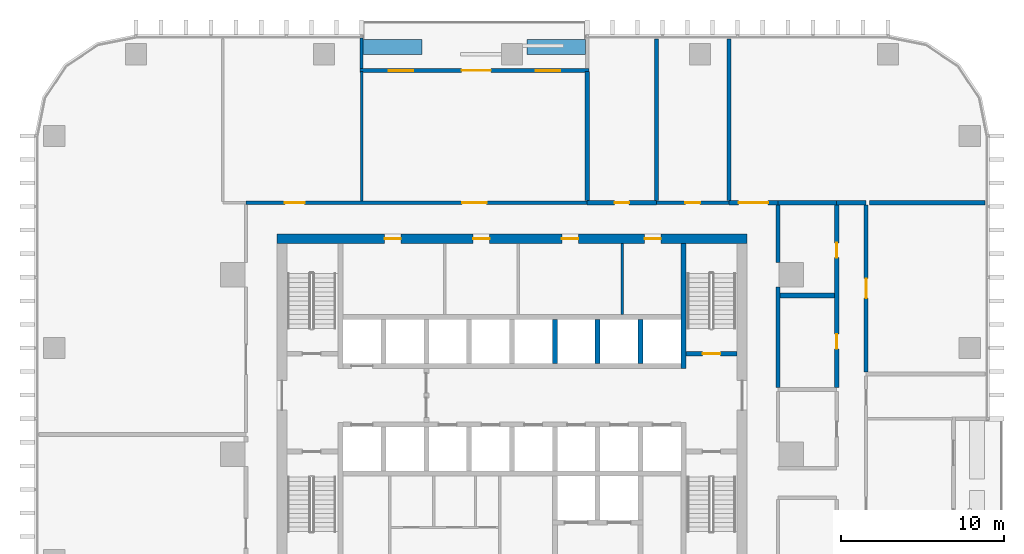
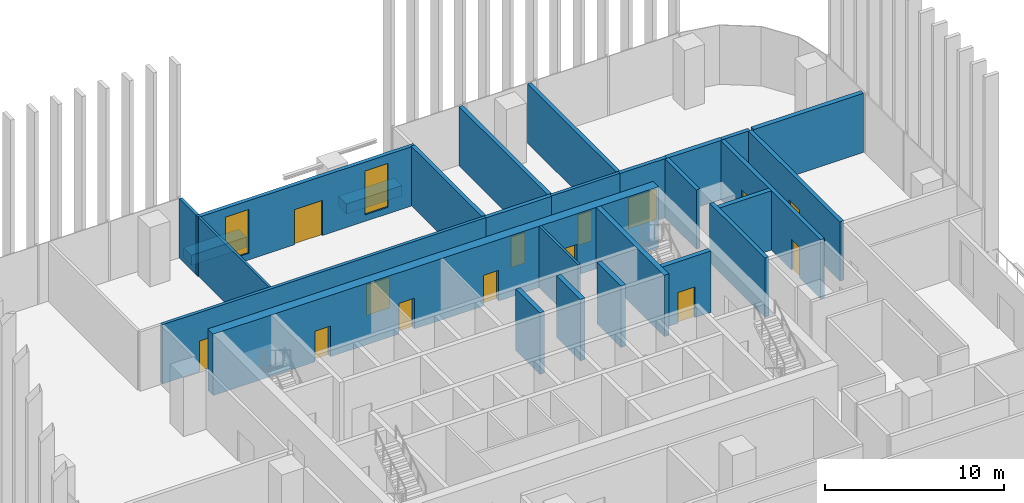
# One storey, part 10 of 17: 27 walls, 14 doors, 2 windows, 16 openings.
"""IFC4 building model written with IfcOpenShell, lengths in metres."""

from ifc_helpers import new_model, si_unit, direction, frame, frame_2d, origin, place, context, subcontext, project, spatial, rectangle, extrude, material, layer, layer_set, type_object, element, fill, save


model = new_model("IFC4")

# Units and contexts
model_context = context("Model", 3, precision=1e-05, world=origin(), true_north=direction((0.0, 1.0)))
body_context = subcontext(model_context, "Body", "Model", "MODEL_VIEW")
ifc_project = project(units=[si_unit("LENGTHUNIT", "METRE"), si_unit("AREAUNIT", "SQUARE_METRE"), si_unit("VOLUMEUNIT", "CUBIC_METRE"), si_unit("PLANEANGLEUNIT", "RADIAN"), si_unit("MASSUNIT", "GRAM", prefix="KILO")], contexts=[model_context])

# Site, building, storey
site_placement = place(None, origin())
site = spatial("IfcSite", under=ifc_project, at=site_placement, CompositionType="ELEMENT")
building_placement = place(site_placement, origin())
building = spatial("IfcBuilding", under=site, at=building_placement, Name="Mopane Tessera Tower", CompositionType="ELEMENT")
storey_placement = place(building_placement, frame((0.0, 0.0, 121.60009765625)))
storey = spatial("IfcBuildingStorey", under=building, at=storey_placement, Name="L24", CompositionType="ELEMENT", Elevation=121.60009765625)

# Wall
ifc_material_1 = material(Name="Fire-rated gypsum board partition")
ifc_layer_1 = layer(ifc_material_1, 0.14990234375)
ifc_layer_set_1 = layer_set([ifc_layer_1], Name="Fire-rated gypsum board partition")
wall_type_1 = type_object("IfcWallType", Name="Core room partition 150 mm", PredefinedType="PARTITIONING", material=ifc_layer_set_1)
wall_1_placement = place(storey_placement, frame((6.75, 8.550048828125, 0.0), z_axis=(0.0, 0.0, 1.0), x_axis=(0.0, 1.0, 0.0)))
element("IfcWall", 1, at=wall_1_placement, inside=storey, type_object=wall_type_1, Name="L24 Room partition", PredefinedType="PARTITIONING", context=body_context, shape_type="SweptSolid", body=[
    extrude(rectangle(XDim=4.349853515625, YDim=0.14990234375, at=frame_2d((2.1748046875, 0.0))), origin(), (0.0, 0.0, 1.0), 4.199951171875),
])

# Wall, openings, doors
ifc_material_2 = material(Name="Concrete C70/85", Category="concrete")
ifc_layer_2 = layer(ifc_material_2, 0.60009765625)
ifc_layer_set_2 = layer_set([ifc_layer_2], Name="Concrete C70/85")
wall_type_2 = type_object("IfcWallType", Name="Core shear wall 600 mm", PredefinedType="SHEAR", material=ifc_layer_set_2)
wall_2_placement = place(storey_placement, frame((-14.39990234375, 13.199951171875, 0.0), z_axis=(0.0, 0.0, 1.0), x_axis=(1.0, 0.0, 0.0)))
wall_2 = element("IfcWall", 2, at=wall_2_placement, inside=storey, type_object=wall_type_2, Name="L24 Core wall north", PredefinedType="SHEAR", context=body_context, shape_type="SweptSolid", body=[
    extrude(rectangle(XDim=28.7998046875, YDim=0.60009765625, at=frame_2d((14.39990234375, 0.0))), origin(), (0.0, 0.0, 1.0), 4.199951171875),
])
opening_1_placement = place(wall_2_placement, frame((6.58740234375, 0.0, 0.0)))
opening_1 = element("IfcOpeningElement", 3, at=opening_1_placement, cuts=wall_2, Name="Opening RD1", PredefinedType="OPENING", context=body_context, shape_type="SweptSolid", body=[
    extrude(rectangle(XDim=1.0, YDim=2.10009765625, at=frame_2d((0.5, 1.050048828125))), frame((0.0, 0.31201171875, 0.0), z_axis=(0.0, -1.0, 0.0), x_axis=(1.0, 0.0, 0.0)), (0.0, 0.0, 1.0), 0.6240234375),
])
opening_2_placement = place(wall_2_placement, frame((12.02490234375, 0.0, 0.0)))
opening_2 = element("IfcOpeningElement", 4, at=opening_2_placement, cuts=wall_2, Name="Opening RD1", PredefinedType="OPENING", context=body_context, shape_type="SweptSolid", body=[
    extrude(rectangle(XDim=1.0, YDim=2.10009765625, at=frame_2d((0.5, 1.050048828125))), frame((0.0, 0.31201171875, 0.0), z_axis=(0.0, -1.0, 0.0), x_axis=(1.0, 0.0, 0.0)), (0.0, 0.0, 1.0), 0.6240234375),
])
opening_3_placement = place(wall_2_placement, frame((17.46240234375, 0.0, 0.0)))
opening_3 = element("IfcOpeningElement", 5, at=opening_3_placement, cuts=wall_2, Name="Opening RD1", PredefinedType="OPENING", context=body_context, shape_type="SweptSolid", body=[
    extrude(rectangle(XDim=1.0, YDim=2.10009765625, at=frame_2d((0.5, 1.050048828125))), frame((0.0, 0.31201171875, 0.0), z_axis=(0.0, -1.0, 0.0), x_axis=(1.0, 0.0, 0.0)), (0.0, 0.0, 1.0), 0.6240234375),
])
opening_4_placement = place(wall_2_placement, frame((22.52490234375, 0.0, 0.0)))
opening_4 = element("IfcOpeningElement", 6, at=opening_4_placement, cuts=wall_2, Name="Opening RD1", PredefinedType="OPENING", context=body_context, shape_type="SweptSolid", body=[
    extrude(rectangle(XDim=1.0, YDim=2.10009765625, at=frame_2d((0.5, 1.050048828125))), frame((0.0, 0.31201171875, 0.0), z_axis=(0.0, -1.0, 0.0), x_axis=(1.0, 0.0, 0.0)), (0.0, 0.0, 1.0), 0.6240234375),
])
ifc_material_3 = material(Name="Timber door", Category="wood")
door_type_1 = type_object("IfcDoorType", Name="Core room door 1000 x 2100", OperationType="SINGLE_SWING_LEFT", PredefinedType="DOOR", material=ifc_material_3)
door_1_placement = place(opening_1_placement, origin())
door_1 = element("IfcDoor", 7, at=door_1_placement, inside=storey, type_object=door_type_1, Name="L24 Room door", OperationType="SINGLE_SWING_LEFT", OverallHeight=2.10009765625, OverallWidth=1.0, PredefinedType="DOOR", context=body_context, shape_type="SweptSolid", body=[
    extrude(rectangle(XDim=1.0, YDim=2.10009765625, at=frame_2d((0.5, 1.050048828125))), frame((0.0, 0.02490234375, 0.0), z_axis=(0.0, -1.0, 0.0), x_axis=(1.0, 0.0, 0.0)), (0.0, 0.0, 1.0), 0.050048828125),
])
fill(opening_1, door_1)
door_2_placement = place(opening_2_placement, origin())
door_2 = element("IfcDoor", 8, at=door_2_placement, inside=storey, type_object=door_type_1, Name="L24 Room door", OperationType="SINGLE_SWING_LEFT", OverallHeight=2.10009765625, OverallWidth=1.0, PredefinedType="DOOR", context=body_context, shape_type="SweptSolid", body=[
    extrude(rectangle(XDim=1.0, YDim=2.10009765625, at=frame_2d((0.5, 1.050048828125))), frame((0.0, 0.02490234375, 0.0), z_axis=(0.0, -1.0, 0.0), x_axis=(1.0, 0.0, 0.0)), (0.0, 0.0, 1.0), 0.050048828125),
])
fill(opening_2, door_2)
door_3_placement = place(opening_3_placement, origin())
door_3 = element("IfcDoor", 9, at=door_3_placement, inside=storey, type_object=door_type_1, Name="L24 Room door", OperationType="SINGLE_SWING_LEFT", OverallHeight=2.10009765625, OverallWidth=1.0, PredefinedType="DOOR", context=body_context, shape_type="SweptSolid", body=[
    extrude(rectangle(XDim=1.0, YDim=2.10009765625, at=frame_2d((0.5, 1.050048828125))), frame((0.0, 0.02490234375, 0.0), z_axis=(0.0, -1.0, 0.0), x_axis=(1.0, 0.0, 0.0)), (0.0, 0.0, 1.0), 0.050048828125),
])
fill(opening_3, door_3)
door_4_placement = place(opening_4_placement, origin())
door_4 = element("IfcDoor", 10, at=door_4_placement, inside=storey, type_object=door_type_1, Name="L24 Room door", OperationType="SINGLE_SWING_LEFT", OverallHeight=2.10009765625, OverallWidth=1.0, PredefinedType="DOOR", context=body_context, shape_type="SweptSolid", body=[
    extrude(rectangle(XDim=1.0, YDim=2.10009765625, at=frame_2d((0.5, 1.050048828125))), frame((0.0, 0.02490234375, 0.0), z_axis=(0.0, -1.0, 0.0), x_axis=(1.0, 0.0, 0.0)), (0.0, 0.0, 1.0), 0.050048828125),
])
fill(opening_4, door_4)

# Wall
ifc_material_4 = material(Name="Concrete C60/75", Category="concrete")
ifc_layer_3 = layer(ifc_material_4, 0.300048828125)
ifc_layer_set_3 = layer_set([ifc_layer_3], Name="Concrete C60/75")
wall_type_3 = type_object("IfcWallType", Name="Core spine wall 300 mm", PredefinedType="SHEAR", material=ifc_layer_set_3)
wall_3_placement = place(storey_placement, frame((10.5, 5.25, 0.0), z_axis=(0.0, 0.0, 1.0), x_axis=(0.0, 1.0, 0.0)))
element("IfcWall", 11, at=wall_3_placement, inside=storey, type_object=wall_type_3, Name="L24 Core spine wall", PredefinedType="SHEAR", context=body_context, shape_type="SweptSolid", body=[
    extrude(rectangle(XDim=7.64990234375, YDim=0.300048828125, at=frame_2d((3.824951171875, 0.0))), origin(), (0.0, 0.0, 1.0), 4.199951171875),
])

# Wall, openings, doors
ifc_material_5 = material(Name="Gypsum board on steel studs, two layers each face, mineral wool infill", Category="steel")
ifc_layer_4 = layer(ifc_material_5, 0.199951171875)
ifc_layer_set_4 = layer_set([ifc_layer_4], Name="Gypsum board on steel studs, two layers each face, mineral wool infill")
wall_type_4 = type_object("IfcWallType", Name="Gypsum board corridor wall 200, rated EI 60", PredefinedType="PARTITIONING", material=ifc_layer_set_4)
wall_4_placement = place(storey_placement, frame((-16.300048828125, 15.39990234375, 0.0), z_axis=(0.0, 0.0, 1.0), x_axis=(1.0, 0.0, 0.0)))
wall_4 = element("IfcWall", 12, at=wall_4_placement, inside=storey, type_object=wall_type_4, Name="Partition L24:025", PredefinedType="PARTITIONING", context=body_context, shape_type="SweptSolid", body=[
    extrude(rectangle(XDim=20.91015625, YDim=0.199951171875, at=frame_2d((10.455078125, 0.0))), origin(), (0.0, 0.0, 1.0), 4.0498046875),
])
opening_5_placement = place(wall_4_placement, frame((13.2451171875, 0.0, 0.0)))
opening_5 = element("IfcOpeningElement", 13, at=opening_5_placement, cuts=wall_4, Name="Opening L24-03", PredefinedType="OPENING", context=body_context, shape_type="SweptSolid", body=[
    extrude(rectangle(XDim=1.5, YDim=2.10009765625, at=frame_2d((0.75, 1.050048828125))), frame((0.0, 0.112060546875, 0.0), z_axis=(0.0, -1.0, 0.0), x_axis=(1.0, 0.0, 0.0)), (0.0, 0.0, 1.0), 0.223876953125),
])
opening_6_placement = place(wall_4_placement, frame((2.387451171875, 0.0, 0.0)))
opening_6 = element("IfcOpeningElement", 14, at=opening_6_placement, cuts=wall_4, Name="Opening L24-15", PredefinedType="OPENING", context=body_context, shape_type="SweptSolid", body=[
    extrude(rectangle(XDim=1.199951171875, YDim=2.10009765625, at=frame_2d((0.60009765625, 1.050048828125))), frame((0.0, 0.112060546875, 0.0), z_axis=(0.0, -1.0, 0.0), x_axis=(1.0, 0.0, 0.0)), (0.0, 0.0, 1.0), 0.223876953125),
])
ifc_material_6 = material(Name="Timber veneered steel-framed fire door", Category="steel")
door_type_2 = type_object("IfcDoorType", Name="Fire door FD60 1200 x 2100", OperationType="SINGLE_SWING_LEFT", PredefinedType="DOOR", material=ifc_material_6)
door_5_placement = place(opening_6_placement, origin())
door_5 = element("IfcDoor", 15, at=door_5_placement, inside=storey, type_object=door_type_2, Name="Door L24-15", ObjectType="D15A", OperationType="SINGLE_SWING_RIGHT", OverallHeight=2.10009765625, OverallWidth=1.199951171875, PredefinedType="DOOR", context=body_context, shape_type="SweptSolid", body=[
    extrude(rectangle(XDim=1.199951171875, YDim=2.10009765625, at=frame_2d((0.60009765625, 1.050048828125))), frame((0.0, 0.02490234375, 0.0), z_axis=(0.0, -1.0, 0.0), x_axis=(1.0, 0.0, 0.0)), (0.0, 0.0, 1.0), 0.050048828125),
])
fill(opening_6, door_5)
ifc_material_7 = material(Name="Timber veneered steel-framed fire door", Category="steel")
door_type_3 = type_object("IfcDoorType", Name="Fire door pair FD60 1500 x 2100", OperationType="DOUBLE_DOOR_SINGLE_SWING", PredefinedType="DOOR", material=ifc_material_7)
door_6_placement = place(opening_5_placement, origin())
door_6 = element("IfcDoor", 16, at=door_6_placement, inside=storey, type_object=door_type_3, Name="Door L24-03", ObjectType="D17A", OperationType="DOUBLE_DOOR_SINGLE_SWING", OverallHeight=2.10009765625, OverallWidth=1.5, PredefinedType="DOOR", context=body_context, shape_type="SweptSolid", body=[
    extrude(rectangle(XDim=1.5, YDim=2.10009765625, at=frame_2d((0.75, 1.050048828125))), frame((0.0, 0.02490234375, 0.0), z_axis=(0.0, -1.0, 0.0), x_axis=(1.0, 0.0, 0.0)), (0.0, 0.0, 1.0), 0.050048828125),
])
fill(opening_5, door_6)

# Wall, opening, door
wall_5_placement = place(storey_placement, frame((8.860107421875, 15.39990234375, 0.0), z_axis=(0.0, 0.0, 1.0), x_axis=(1.0, 0.0, 0.0)))
wall_5 = element("IfcWall", 17, at=wall_5_placement, inside=storey, type_object=wall_type_4, Name="Partition L24:026", PredefinedType="PARTITIONING", context=body_context, shape_type="SweptSolid", body=[
    extrude(rectangle(XDim=4.429931640625, YDim=0.199951171875, at=frame_2d((2.21484375, 0.0))), origin(), (0.0, 0.0, 1.0), 4.0498046875),
])
opening_7_placement = place(wall_5_placement, frame((1.764892578125, 0.0, 0.0)))
opening_7 = element("IfcOpeningElement", 18, at=opening_7_placement, cuts=wall_5, Name="Opening L24-21", PredefinedType="OPENING", context=body_context, shape_type="SweptSolid", body=[
    extrude(rectangle(XDim=0.89990234375, YDim=2.10009765625, at=frame_2d((0.449951171875, 1.050048828125))), frame((0.0, 0.112060546875, 0.0), z_axis=(0.0, -1.0, 0.0), x_axis=(1.0, 0.0, 0.0)), (0.0, 0.0, 1.0), 0.223876953125),
])
ifc_material_8 = material(Name="Timber veneered steel-framed fire door", Category="steel")
door_type_4 = type_object("IfcDoorType", Name="Fire door FD60 900 x 2100", OperationType="SINGLE_SWING_LEFT", PredefinedType="DOOR", material=ifc_material_8)
door_7_placement = place(opening_7_placement, origin())
door_7 = element("IfcDoor", 19, at=door_7_placement, inside=storey, type_object=door_type_4, Name="Door L24-21", ObjectType="D10A", OperationType="SINGLE_SWING_RIGHT", OverallHeight=2.10009765625, OverallWidth=0.89990234375, PredefinedType="DOOR", context=body_context, shape_type="SweptSolid", body=[
    extrude(rectangle(XDim=0.89990234375, YDim=2.10009765625, at=frame_2d((0.449951171875, 1.050048828125))), frame((0.0, 0.02490234375, 0.0), z_axis=(0.0, -1.0, 0.0), x_axis=(1.0, 0.0, 0.0)), (0.0, 0.0, 1.0), 0.050048828125),
])
fill(opening_7, door_7)

# Wall
ifc_material_9 = material(Name="Gypsum board on steel studs, mineral wool infill", Category="steel")
ifc_layer_5 = layer(ifc_material_9, 0.14990234375)
ifc_layer_set_5 = layer_set([ifc_layer_5], Name="Gypsum board on steel studs, mineral wool infill")
wall_type_5 = type_object("IfcWallType", Name="Gypsum board partition 150, rated EI 60", PredefinedType="PARTITIONING", material=ifc_layer_set_5)
wall_6_placement = place(storey_placement, frame((-9.219970703125, 15.5, 0.0), z_axis=(0.0, 0.0, 1.0), x_axis=(0.0, 1.0, 0.0)))
element("IfcWall", 20, at=wall_6_placement, inside=storey, type_object=wall_type_5, Name="Partition L24:039", PredefinedType="PARTITIONING", context=body_context, shape_type="SweptSolid", body=[
    extrude(rectangle(XDim=7.949951171875, YDim=0.14990234375, at=frame_2d((3.97509765625, 0.0))), origin(), (0.0, 0.0, 1.0), 4.0498046875),
])

# Wall, opening, door
ifc_material_10 = material(Name="Concrete C50/60", Category="concrete")
ifc_layer_6 = layer(ifc_material_10, 0.300048828125)
ifc_layer_set_6 = layer_set([ifc_layer_6], Name="Concrete C50/60")
wall_type_6 = type_object("IfcWallType", Name="Lift and stair shaft wall 300 mm", PredefinedType="SOLIDWALL", material=ifc_layer_set_6)
wall_7_placement = place(storey_placement, frame((10.64990234375, 6.14990234375, 0.0), z_axis=(0.0, 0.0, 1.0), x_axis=(1.0, 0.0, 0.0)))
wall_7 = element("IfcWall", 21, at=wall_7_placement, inside=storey, type_object=wall_type_6, Name="L24 Stair enclosure wall", PredefinedType="SOLIDWALL", context=body_context, shape_type="SweptSolid", body=[
    extrude(rectangle(XDim=3.150146484375, YDim=0.300048828125, at=frame_2d((1.5751953125, 0.0))), origin(), (0.0, 0.0, 1.0), 4.199951171875),
])
opening_8_placement = place(wall_7_placement, frame((1.02490234375, 0.0, 0.0)))
opening_8 = element("IfcOpeningElement", 22, at=opening_8_placement, cuts=wall_7, Name="Opening SD1", PredefinedType="OPENING", context=body_context, shape_type="SweptSolid", body=[
    extrude(rectangle(XDim=1.10009765625, YDim=2.10009765625, at=frame_2d((0.550048828125, 1.050048828125))), frame((0.0, 0.162109375, 0.0), z_axis=(0.0, -1.0, 0.0), x_axis=(1.0, 0.0, 0.0)), (0.0, 0.0, 1.0), 0.323974609375),
])
ifc_material_11 = material(Name="Steel fire door", Category="steel")
door_type_5 = type_object("IfcDoorType", Name="Stair fire door 1100 x 2100", OperationType="SINGLE_SWING_LEFT", PredefinedType="DOOR", material=ifc_material_11)
door_8_placement = place(opening_8_placement, origin())
door_8 = element("IfcDoor", 23, at=door_8_placement, inside=storey, type_object=door_type_5, Name="L24 Stair door ST4", OperationType="SINGLE_SWING_RIGHT", OverallHeight=2.10009765625, OverallWidth=1.10009765625, PredefinedType="DOOR", context=body_context, shape_type="SweptSolid", body=[
    extrude(rectangle(XDim=1.10009765625, YDim=2.10009765625, at=frame_2d((0.550048828125, 1.050048828125))), frame((0.0, 0.02490234375, 0.0), z_axis=(0.0, -1.0, 0.0), x_axis=(1.0, 0.0, 0.0)), (0.0, 0.0, 1.0), 0.050048828125),
])
fill(opening_8, door_8)

# Walls
for number, where, z_axis, x_axis, name in (
    (24, (2.625, 5.550048828125, 0.0), (0.0, 0.0, 1.0), (0.0, 1.0, 0.0), "L24 Lift shaft wall"),
    (25, (5.25, 5.550048828125, 0.0), (0.0, 0.0, 1.0), (0.0, 1.0, 0.0), "L24 Lift shaft wall"),
    (26, (7.875, 5.550048828125, 0.0), (0.0, 0.0, 1.0), (0.0, 1.0, 0.0), "L24 Lift shaft wall"),
):
    element("IfcWall", number, at=place(storey_placement, frame(where, z_axis=z_axis, x_axis=x_axis)), inside=storey, type_object=wall_type_6, Name=name, PredefinedType="SOLIDWALL", context=body_context, shape_type="SweptSolid", body=[
        extrude(rectangle(XDim=2.699951171875, YDim=0.300048828125, at=frame_2d((1.35009765625, 0.0))), origin(), (0.0, 0.0, 1.0), 4.199951171875),
    ])
ifc_material_12 = material(Name="Reinforced concrete C32/40 with waterproofing", Category="concrete")
ifc_layer_7 = layer(ifc_material_12, 0.89990234375)
ifc_layer_set_7 = layer_set([ifc_layer_7], Name="Reinforced concrete C32/40 with waterproofing")
wall_type_7 = type_object("IfcWallType", Name="Planter trough 3600 x 900", PredefinedType="STANDARD", material=ifc_layer_set_7)
for number, where, z_axis, x_axis, name in (
    (27, (4.510009765625, 24.949951171875, 0.0), (0.0, 0.0, 1.0), (-1.0, 0.0, 0.0), "e:nw:L24:N1:pl0"),
    (28, (-5.52001953125, 24.949951171875, 0.0), (0.0, 0.0, 1.0), (-1.0, 0.0, 0.0), "e:nw:L24:N1:pl1"),
):
    element("IfcWall", number, at=place(storey_placement, frame(where, z_axis=z_axis, x_axis=x_axis)), inside=storey, type_object=wall_type_7, Name=name, PredefinedType="STANDARD", context=body_context, shape_type="SweptSolid", body=[
        extrude(rectangle(XDim=3.60009765625, YDim=0.89990234375, at=frame_2d((1.800048828125, 0.0))), origin(), (0.0, 0.0, 1.0), 0.699951171875),
    ])
ifc_material_13 = material(Name="Plastered concrete blockwork C20/25", Category="masonry")
ifc_layer_8 = layer(ifc_material_13, 0.300048828125)
ifc_layer_set_8 = layer_set([ifc_layer_8], Name="Plastered concrete blockwork C20/25")
wall_type_8 = type_object("IfcWallType", Name="Plastered blockwork separation wall 300, rated EI 120", PredefinedType="PARTITIONING", material=ifc_layer_set_8)
wall_8_placement = place(storey_placement, frame((16.425048828125, 9.72509765625, 0.0), z_axis=(0.0, 0.0, 1.0), x_axis=(1.0, 0.0, 0.0)))
element("IfcWall", 29, at=wall_8_placement, inside=storey, type_object=wall_type_8, Name="Partition L24:023", PredefinedType="PARTITIONING", context=body_context, shape_type="SweptSolid", body=[
    extrude(rectangle(XDim=3.349853515625, YDim=0.300048828125, at=frame_2d((1.6748046875, 0.0))), origin(), (0.0, 0.0, 1.0), 4.0498046875),
])
wall_9_placement = place(storey_placement, frame((16.300048828125, 15.39990234375, 0.0), z_axis=(0.0, 0.0, 1.0), x_axis=(1.0, 0.0, 0.0)))
element("IfcWall", 30, at=wall_9_placement, inside=storey, type_object=wall_type_8, Name="Partition L24:030", PredefinedType="PARTITIONING", context=body_context, shape_type="SweptSolid", body=[
    extrude(rectangle(XDim=3.599853515625, YDim=0.300048828125, at=frame_2d((1.7998046875, 0.0))), origin(), (0.0, 0.0, 1.0), 4.0498046875),
])
wall_10_placement = place(storey_placement, frame((21.905029296875, 15.39990234375, 0.0), z_axis=(0.0, 0.0, 1.0), x_axis=(1.0, 0.0, 0.0)))
element("IfcWall", 31, at=wall_10_placement, inside=storey, type_object=wall_type_8, Name="Partition L24:031", PredefinedType="PARTITIONING", context=body_context, shape_type="SweptSolid", body=[
    extrude(rectangle(XDim=7.094970703125, YDim=0.300048828125, at=frame_2d((3.54736328125, 0.0))), origin(), (0.0, 0.0, 1.0), 4.0498046875),
])

# Wall, opening, door
ifc_material_14 = material(Name="Plastered concrete blockwork C20/25", Category="masonry")
ifc_layer_9 = layer(ifc_material_14, 0.25)
ifc_layer_set_9 = layer_set([ifc_layer_9], Name="Plastered concrete blockwork C20/25")
wall_type_9 = type_object("IfcWallType", Name="Plastered blockwork wall 250, rated EI 120", PredefinedType="PARTITIONING", material=ifc_layer_set_9)
wall_11_placement = place(storey_placement, frame((4.610107421875, 15.39990234375, 0.0), z_axis=(0.0, 0.0, 1.0), x_axis=(1.0, 0.0, 0.0)))
wall_11 = element("IfcWall", 32, at=wall_11_placement, inside=storey, type_object=wall_type_9, Name="Partition L24:027", PredefinedType="PARTITIONING", context=body_context, shape_type="SweptSolid", body=[
    extrude(rectangle(XDim=4.25, YDim=0.25, at=frame_2d((2.125, 0.0))), origin(), (0.0, 0.0, 1.0), 4.0498046875),
])
opening_9_placement = place(wall_11_placement, frame((1.675048828125, 0.0, 0.0)))
opening_9 = element("IfcOpeningElement", 33, at=opening_9_placement, cuts=wall_11, Name="Opening L24-12", PredefinedType="OPENING", context=body_context, shape_type="SweptSolid", body=[
    extrude(rectangle(XDim=0.89990234375, YDim=2.10009765625, at=frame_2d((0.449951171875, 1.050048828125))), frame((0.0, 0.136962890625, 0.0), z_axis=(0.0, -1.0, 0.0), x_axis=(1.0, 0.0, 0.0)), (0.0, 0.0, 1.0), 0.27392578125),
])
ifc_material_15 = material(Name="Timber veneered steel-framed fire door", Category="steel")
door_type_6 = type_object("IfcDoorType", Name="Fire door FD120 900 x 2100", OperationType="SINGLE_SWING_LEFT", PredefinedType="DOOR", material=ifc_material_15)
door_9_placement = place(opening_9_placement, origin())
door_9 = element("IfcDoor", 34, at=door_9_placement, inside=storey, type_object=door_type_6, Name="Door L24-12", ObjectType="D10B", OperationType="SINGLE_SWING_RIGHT", OverallHeight=2.10009765625, OverallWidth=0.89990234375, PredefinedType="DOOR", context=body_context, shape_type="SweptSolid", body=[
    extrude(rectangle(XDim=0.89990234375, YDim=2.10009765625, at=frame_2d((0.449951171875, 1.050048828125))), frame((0.0, 0.02490234375, 0.0), z_axis=(0.0, -1.0, 0.0), x_axis=(1.0, 0.0, 0.0)), (0.0, 0.0, 1.0), 0.050048828125),
])
fill(opening_9, door_9)

wall_12_placement = place(storey_placement, frame((13.2900390625, 15.39990234375, 0.0), z_axis=(0.0, 0.0, 1.0), x_axis=(1.0, 0.0, 0.0)))
wall_12 = element("IfcWall", 35, at=wall_12_placement, inside=storey, type_object=wall_type_9, Name="Partition L24:028", PredefinedType="PARTITIONING", context=body_context, shape_type="SweptSolid", body=[
    extrude(rectangle(XDim=3.010009765625, YDim=0.25, at=frame_2d((1.5048828125, 0.0))), origin(), (0.0, 0.0, 1.0), 4.0498046875),
])
opening_10_placement = place(wall_12_placement, frame((0.60498046875, 0.0, 0.0)))
opening_10 = element("IfcOpeningElement", 36, at=opening_10_placement, cuts=wall_12, Name="Opening L24-18", PredefinedType="OPENING", context=body_context, shape_type="SweptSolid", body=[
    extrude(rectangle(XDim=1.800048828125, YDim=2.10009765625, at=frame_2d((0.89990234375, 1.050048828125))), frame((0.0, 0.136962890625, 0.0), z_axis=(0.0, -1.0, 0.0), x_axis=(1.0, 0.0, 0.0)), (0.0, 0.0, 1.0), 0.27392578125),
])
ifc_material_16 = material(Name="Timber veneered steel-framed fire door", Category="steel")
door_type_7 = type_object("IfcDoorType", Name="Fire door pair FD120 1800 x 2100", OperationType="DOUBLE_DOOR_SINGLE_SWING", PredefinedType="DOOR", material=ifc_material_16)
door_10_placement = place(opening_10_placement, origin())
door_10 = element("IfcDoor", 37, at=door_10_placement, inside=storey, type_object=door_type_7, Name="Door L24-18", ObjectType="D20B", OperationType="DOUBLE_DOOR_SINGLE_SWING", OverallHeight=2.10009765625, OverallWidth=1.800048828125, PredefinedType="DOOR", context=body_context, shape_type="SweptSolid", body=[
    extrude(rectangle(XDim=1.800048828125, YDim=2.10009765625, at=frame_2d((0.89990234375, 1.050048828125))), frame((0.0, 0.02490234375, 0.0), z_axis=(0.0, -1.0, 0.0), x_axis=(1.0, 0.0, 0.0)), (0.0, 0.0, 1.0), 0.050048828125),
])
fill(opening_10, door_10)

# Walls
wall_13_placement = place(storey_placement, frame((19.89990234375, 15.39990234375, 0.0), z_axis=(0.0, 0.0, 1.0), x_axis=(1.0, 0.0, 0.0)))
element("IfcWall", 38, at=wall_13_placement, inside=storey, type_object=wall_type_9, Name="Partition L24:029", PredefinedType="PARTITIONING", context=body_context, shape_type="SweptSolid", body=[
    extrude(rectangle(XDim=1.800048828125, YDim=0.25, at=frame_2d((0.89990234375, 0.0))), origin(), (0.0, 0.0, 1.0), 4.0498046875),
])
wall_14_placement = place(storey_placement, frame((4.610107421875, 15.52490234375, 0.0), z_axis=(0.0, 0.0, 1.0), x_axis=(0.0, 1.0, 0.0)))
element("IfcWall", 39, at=wall_14_placement, inside=storey, type_object=wall_type_9, Name="Partition L24:044", PredefinedType="PARTITIONING", context=body_context, shape_type="SweptSolid", body=[
    extrude(rectangle(XDim=7.925048828125, YDim=0.25, at=frame_2d((3.96240234375, 0.0))), origin(), (0.0, 0.0, 1.0), 4.0498046875),
])
for number, where, z_axis, x_axis, name in (
    (40, (8.860107421875, 15.52490234375, 0.0), (0.0, 0.0, 1.0), (0.0, 1.0, 0.0), "Partition L24:045"),
    (41, (13.2900390625, 15.52490234375, 0.0), (0.0, 0.0, 1.0), (0.0, 1.0, 0.0), "Partition L24:047"),
):
    element("IfcWall", number, at=place(storey_placement, frame(where, z_axis=z_axis, x_axis=x_axis)), inside=storey, type_object=wall_type_9, Name=name, PredefinedType="PARTITIONING", context=body_context, shape_type="SweptSolid", body=[
        extrude(rectangle(XDim=9.925048828125, YDim=0.25, at=frame_2d((4.96240234375, 0.0))), origin(), (0.0, 0.0, 1.0), 4.0498046875),
    ])
wall_15_placement = place(storey_placement, frame((16.300048828125, 4.070068359375, 0.0), z_axis=(0.0, 0.0, 1.0), x_axis=(0.0, 1.0, 0.0)))
element("IfcWall", 42, at=wall_15_placement, inside=storey, type_object=wall_type_9, Name="Partition L24:052", PredefinedType="PARTITIONING", context=body_context, shape_type="SweptSolid", body=[
    extrude(rectangle(XDim=6.179931640625, YDim=0.25, at=frame_2d((3.08984375, 0.0))), origin(), (0.0, 0.0, 1.0), 4.0498046875),
])
wall_16_placement = place(storey_placement, frame((16.300048828125, 11.75, 0.0), z_axis=(0.0, 0.0, 1.0), x_axis=(0.0, 1.0, 0.0)))
element("IfcWall", 43, at=wall_16_placement, inside=storey, type_object=wall_type_9, Name="Partition L24:053", PredefinedType="PARTITIONING", context=body_context, shape_type="SweptSolid", body=[
    extrude(rectangle(XDim=3.5, YDim=0.25, at=frame_2d((1.75, 0.0))), origin(), (0.0, 0.0, 1.0), 4.0498046875),
])

# Wall, openings, doors
wall_17_placement = place(storey_placement, frame((19.89990234375, 4.070068359375, 0.0), z_axis=(0.0, 0.0, 1.0), x_axis=(0.0, 1.0, 0.0)))
wall_17 = element("IfcWall", 44, at=wall_17_placement, inside=storey, type_object=wall_type_9, Name="Partition L24:056", PredefinedType="PARTITIONING", context=body_context, shape_type="SweptSolid", body=[
    extrude(rectangle(XDim=11.179931640625, YDim=0.25, at=frame_2d((5.58984375, 0.0))), origin(), (0.0, 0.0, 1.0), 4.0498046875),
])
opening_11_placement = place(wall_17_placement, frame((2.37744140625, 0.0, 0.0)))
opening_11 = element("IfcOpeningElement", 45, at=opening_11_placement, cuts=wall_17, Name="Opening L24-01", PredefinedType="OPENING", context=body_context, shape_type="SweptSolid", body=[
    extrude(rectangle(XDim=0.89990234375, YDim=2.10009765625, at=frame_2d((0.449951171875, 1.050048828125))), frame((0.0, 0.136962890625, 0.0), z_axis=(0.0, -1.0, 0.0), x_axis=(1.0, 0.0, 0.0)), (0.0, 0.0, 1.0), 0.27392578125),
])
opening_12_placement = place(wall_17_placement, frame((7.967529296875, 0.0, 0.0)))
opening_12 = element("IfcOpeningElement", 46, at=opening_12_placement, cuts=wall_17, Name="Opening L24-13", PredefinedType="OPENING", context=body_context, shape_type="SweptSolid", body=[
    extrude(rectangle(XDim=0.89990234375, YDim=2.10009765625, at=frame_2d((0.449951171875, 1.050048828125))), frame((0.0, 0.136962890625, 0.0), z_axis=(0.0, -1.0, 0.0), x_axis=(1.0, 0.0, 0.0)), (0.0, 0.0, 1.0), 0.27392578125),
])
door_11_placement = place(opening_11_placement, origin())
door_11 = element("IfcDoor", 47, at=door_11_placement, inside=storey, type_object=door_type_6, Name="Door L24-01", ObjectType="D10B", OperationType="SINGLE_SWING_LEFT", OverallHeight=2.10009765625, OverallWidth=0.89990234375, PredefinedType="DOOR", context=body_context, shape_type="SweptSolid", body=[
    extrude(rectangle(XDim=0.89990234375, YDim=2.10009765625, at=frame_2d((0.449951171875, 1.050048828125))), frame((0.0, 0.02490234375, 0.0), z_axis=(0.0, -1.0, 0.0), x_axis=(1.0, 0.0, 0.0)), (0.0, 0.0, 1.0), 0.050048828125),
])
fill(opening_11, door_11)
door_12_placement = place(opening_12_placement, origin())
door_12 = element("IfcDoor", 48, at=door_12_placement, inside=storey, type_object=door_type_6, Name="Door L24-13", ObjectType="D10B", OperationType="SINGLE_SWING_LEFT", OverallHeight=2.10009765625, OverallWidth=0.89990234375, PredefinedType="DOOR", context=body_context, shape_type="SweptSolid", body=[
    extrude(rectangle(XDim=0.89990234375, YDim=2.10009765625, at=frame_2d((0.449951171875, 1.050048828125))), frame((0.0, 0.02490234375, 0.0), z_axis=(0.0, -1.0, 0.0), x_axis=(1.0, 0.0, 0.0)), (0.0, 0.0, 1.0), 0.050048828125),
])
fill(opening_12, door_12)

# Wall, opening, door
wall_18_placement = place(storey_placement, frame((21.699951171875, 5.02490234375, 0.0), z_axis=(0.0, 0.0, 1.0), x_axis=(0.0, 1.0, 0.0)))
wall_18 = element("IfcWall", 49, at=wall_18_placement, inside=storey, type_object=wall_type_9, Name="Partition L24:059", PredefinedType="PARTITIONING", context=body_context, shape_type="SweptSolid", body=[
    extrude(rectangle(XDim=10.25, YDim=0.25, at=frame_2d((5.125, 0.0))), origin(), (0.0, 0.0, 1.0), 4.0498046875),
])
opening_13_placement = place(wall_18_placement, frame((4.52490234375, 0.0, 0.0)))
opening_13 = element("IfcOpeningElement", 50, at=opening_13_placement, cuts=wall_18, Name="Opening L24-08", PredefinedType="OPENING", context=body_context, shape_type="SweptSolid", body=[
    extrude(rectangle(XDim=1.199951171875, YDim=2.10009765625, at=frame_2d((0.60009765625, 1.050048828125))), frame((0.0, 0.136962890625, 0.0), z_axis=(0.0, -1.0, 0.0), x_axis=(1.0, 0.0, 0.0)), (0.0, 0.0, 1.0), 0.27392578125),
])
ifc_material_17 = material(Name="Timber veneered steel-framed fire door", Category="steel")
door_type_8 = type_object("IfcDoorType", Name="Fire door FD120 1200 x 2100", OperationType="SINGLE_SWING_LEFT", PredefinedType="DOOR", material=ifc_material_17)
door_13_placement = place(opening_13_placement, origin())
door_13 = element("IfcDoor", 51, at=door_13_placement, inside=storey, type_object=door_type_8, Name="Door L24-08", ObjectType="D15B", OperationType="SINGLE_SWING_LEFT", OverallHeight=2.10009765625, OverallWidth=1.199951171875, PredefinedType="DOOR", context=body_context, shape_type="SweptSolid", body=[
    extrude(rectangle(XDim=1.199951171875, YDim=2.10009765625, at=frame_2d((0.60009765625, 1.050048828125))), frame((0.0, 0.02490234375, 0.0), z_axis=(0.0, -1.0, 0.0), x_axis=(1.0, 0.0, 0.0)), (0.0, 0.0, 1.0), 0.050048828125),
])
fill(opening_13, door_13)

# Wall
ifc_material_18 = material(Name="Blockwork with glazed tile facing", Category="masonry")
ifc_layer_10 = layer(ifc_material_18, 0.199951171875)
ifc_layer_set_10 = layer_set([ifc_layer_10], Name="Blockwork with glazed tile facing")
wall_type_10 = type_object("IfcWallType", Name="Terrace cheek wall 200", PredefinedType="STANDARD", material=ifc_layer_set_10)
wall_19_placement = place(storey_placement, frame((-9.219970703125, 25.5, 0.0), z_axis=(0.0, 0.0, 1.0), x_axis=(0.0, -1.0, 0.0)))
element("IfcWall", 52, at=wall_19_placement, inside=storey, type_object=wall_type_10, Name="e:nw:L24:N1:cheekb", PredefinedType="STANDARD", context=body_context, shape_type="SweptSolid", body=[
    extrude(rectangle(XDim=1.875, YDim=0.199951171875, at=frame_2d((0.9375, 0.0))), origin(), (0.0, 0.0, 1.0), 4.0498046875),
])

# Wall, openings, windows, door
ifc_material_19 = material(Name="Blockwork with ultramarine glazed tile facing", Category="masonry")
ifc_layer_11 = layer(ifc_material_19, 0.25)
ifc_layer_set_11 = layer_set([ifc_layer_11], Name="Blockwork with ultramarine glazed tile facing")
wall_type_11 = type_object("IfcWallType", Name="Tile-clad external wall 250, ultramarine", PredefinedType="STANDARD", material=ifc_layer_set_11)
wall_20_placement = place(storey_placement, frame((4.7099609375, 23.5, 0.0), z_axis=(0.0, 0.0, 1.0), x_axis=(-1.0, 0.0, 0.0)))
wall_20 = element("IfcWall", 53, at=wall_20_placement, inside=storey, type_object=wall_type_11, Name="e:nw:L24:N1:back", PredefinedType="STANDARD", context=body_context, shape_type="SweptSolid", body=[
    extrude(rectangle(XDim=14.030029296875, YDim=0.25, at=frame_2d((7.01513671875, 0.0))), origin(), (0.0, 0.0, 1.0), 4.0498046875),
])
opening_14_placement = place(wall_20_placement, frame((1.75, 0.0, 0.449951171875)))
opening_14 = element("IfcOpeningElement", 54, at=opening_14_placement, cuts=wall_20, Name="Opening NW241A", PredefinedType="OPENING", context=body_context, shape_type="SweptSolid", body=[
    extrude(rectangle(XDim=1.5, YDim=3.0, at=frame_2d((0.75, 1.5))), frame((0.0, 0.136962890625, 0.0), z_axis=(0.0, -1.0, 0.0), x_axis=(1.0, 0.0, 0.0)), (0.0, 0.0, 1.0), 0.27392578125),
])
opening_15_placement = place(wall_20_placement, frame((6.0, 0.0, 0.0)))
opening_15 = element("IfcOpeningElement", 55, at=opening_15_placement, cuts=wall_20, Name="Opening ND241", PredefinedType="OPENING", context=body_context, shape_type="SweptSolid", body=[
    extrude(rectangle(XDim=1.800048828125, YDim=2.39990234375, at=frame_2d((0.89990234375, 1.199951171875))), frame((0.0, 0.136962890625, 0.0), z_axis=(0.0, -1.0, 0.0), x_axis=(1.0, 0.0, 0.0)), (0.0, 0.0, 1.0), 0.27392578125),
])
opening_16_placement = place(wall_20_placement, frame((10.75, 0.0, 0.449951171875)))
opening_16 = element("IfcOpeningElement", 56, at=opening_16_placement, cuts=wall_20, Name="Opening NW241B", PredefinedType="OPENING", context=body_context, shape_type="SweptSolid", body=[
    extrude(rectangle(XDim=1.5, YDim=3.0, at=frame_2d((0.75, 1.5))), frame((0.0, 0.136962890625, 0.0), z_axis=(0.0, -1.0, 0.0), x_axis=(1.0, 0.0, 0.0)), (0.0, 0.0, 1.0), 0.27392578125),
])
ifc_material_20 = material(Name="Clear laminated glass", Category="glass")
window_type = type_object("IfcWindowType", Name="Fixed window 1500 x 3000", PartitioningType="SINGLE_PANEL", PredefinedType="WINDOW", material=ifc_material_20)
window_1_placement = place(opening_14_placement, origin())
window_1 = element("IfcWindow", 57, at=window_1_placement, inside=storey, type_object=window_type, Name="e:nw:L24:N1:win0", OverallHeight=3.0, OverallWidth=1.5, PartitioningType="SINGLE_PANEL", PredefinedType="WINDOW", context=body_context, shape_type="SweptSolid", body=[
    extrude(rectangle(XDim=1.5, YDim=3.0, at=frame_2d((0.75, 1.5))), frame((0.0, 0.030029296875, 0.0), z_axis=(0.0, -1.0, 0.0), x_axis=(1.0, 0.0, 0.0)), (0.0, 0.0, 1.0), 0.06005859375),
])
fill(opening_14, window_1)
window_2_placement = place(opening_16_placement, origin())
window_2 = element("IfcWindow", 58, at=window_2_placement, inside=storey, type_object=window_type, Name="e:nw:L24:N1:win2", OverallHeight=3.0, OverallWidth=1.5, PartitioningType="SINGLE_PANEL", PredefinedType="WINDOW", context=body_context, shape_type="SweptSolid", body=[
    extrude(rectangle(XDim=1.5, YDim=3.0, at=frame_2d((0.75, 1.5))), frame((0.0, 0.030029296875, 0.0), z_axis=(0.0, -1.0, 0.0), x_axis=(1.0, 0.0, 0.0)), (0.0, 0.0, 1.0), 0.06005859375),
])
fill(opening_16, window_2)
ifc_material_21 = material(Name="Aluminium and clear glass", Category="aluminium")
door_type_9 = type_object("IfcDoorType", Name="Terrace double door 1800 x 2400", OperationType="DOUBLE_DOOR_SINGLE_SWING", PredefinedType="DOOR", material=ifc_material_21)
door_14_placement = place(opening_15_placement, origin())
door_14 = element("IfcDoor", 59, at=door_14_placement, inside=storey, type_object=door_type_9, Name="e:nw:L24:N1:door", ObjectType="D1", OperationType="DOUBLE_DOOR_SINGLE_SWING", OverallHeight=2.39990234375, OverallWidth=1.800048828125, PredefinedType="DOOR", context=body_context, shape_type="SweptSolid", body=[
    extrude(rectangle(XDim=1.800048828125, YDim=2.39990234375, at=frame_2d((0.89990234375, 1.199951171875))), frame((0.0, 0.02490234375, 0.0), z_axis=(0.0, -1.0, 0.0), x_axis=(1.0, 0.0, 0.0)), (0.0, 0.0, 1.0), 0.050048828125),
])
fill(opening_15, door_14)

save(model, "model.ifc")
